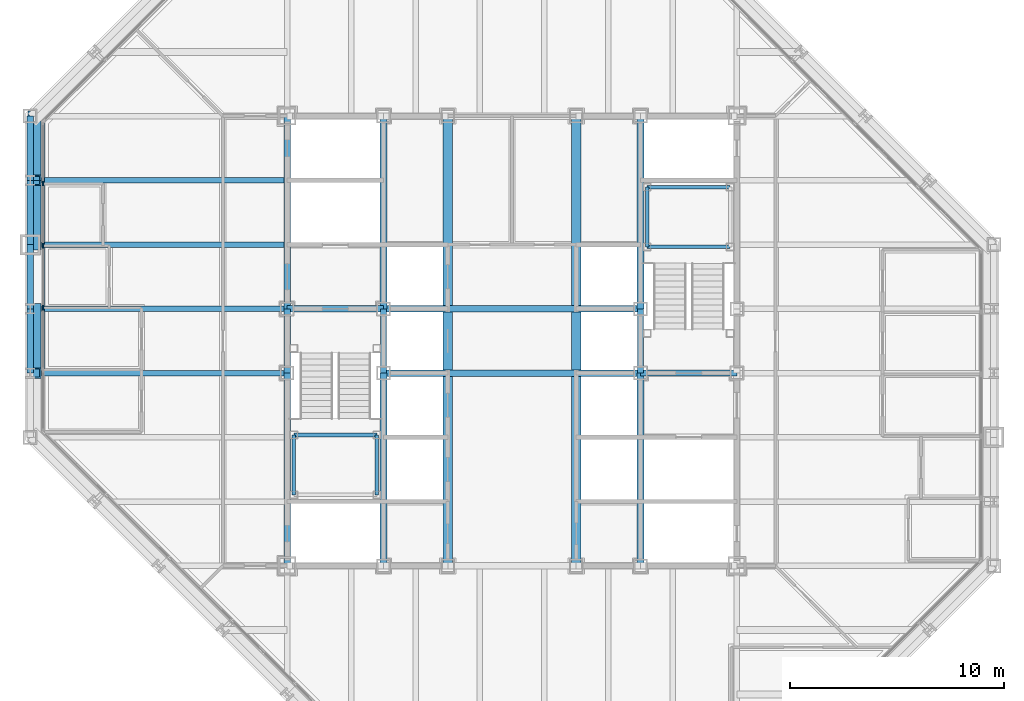
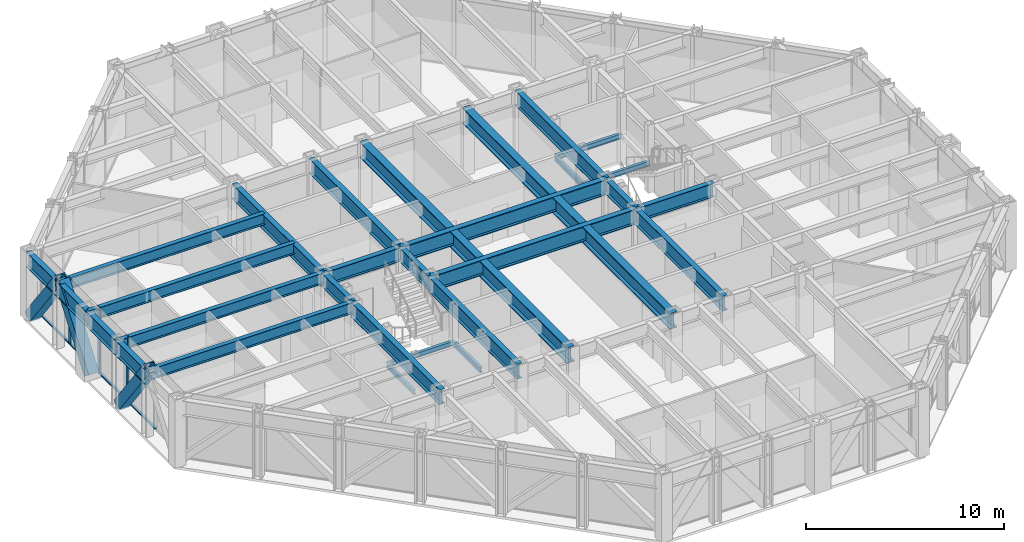
# One storey, part 5 of 15: 33 beams, 10 members, 1 element without a shape of its own.
"""IFC4 building model written with IfcOpenShell, lengths in metres."""

from ifc_helpers import new_model, si_unit, direction, frame, origin, origin_2d, place, context, subcontext, project, spatial, rectangle, hollow_rectangle, i_section, extrude, material, layer, layer_set, material_profile, profile_set, type_object, element, aggregate, save


model = new_model("IFC4")

# Units and contexts
model_context = context("Model", 3, precision=1e-05, world=origin(), true_north=direction((0.0, 1.0)))
body_context = subcontext(model_context, "Body", "Model", "MODEL_VIEW")
ifc_project = project(units=[si_unit("LENGTHUNIT", "METRE"), si_unit("AREAUNIT", "SQUARE_METRE"), si_unit("VOLUMEUNIT", "CUBIC_METRE"), si_unit("PLANEANGLEUNIT", "RADIAN"), si_unit("MASSUNIT", "GRAM", prefix="KILO")], contexts=[model_context])

# Site, building, storey
site_placement = place(None, origin())
site = spatial("IfcSite", under=ifc_project, at=site_placement, CompositionType="ELEMENT")
building_placement = place(site_placement, origin())
building = spatial("IfcBuilding", under=site, at=building_placement, Name="Chuquiago Exchange Tower", CompositionType="ELEMENT")
storey_placement = place(building_placement, frame((0.0, 0.0, 192.89990234375)))
storey = spatial("IfcBuildingStorey", under=building, at=storey_placement, Name="L42", CompositionType="ELEMENT", Elevation=192.89990234375)

# Beams
ifc_material_1 = material(Name="Steel ASTM A992", Category="steel")
ifc_material_profile_1 = material_profile(ifc_material_1, i_section(OverallWidth=0.25390625, OverallDepth=0.683349609375, WebThickness=0.012451171875, FlangeThickness=0.018798828125, at=origin_2d()), Name="W27X94")
ifc_profile_set_1 = profile_set([ifc_material_profile_1], Name="Steel ASTM A992")
beam_type_1 = type_object("IfcBeamType", Name="B1 W27X94", PredefinedType="BEAM", material=ifc_profile_set_1)
for number, where, z_axis, x_axis, name in (
    (1, (12.0, 21.0, 3.698486328125), (-1.0, 0.0, 0.0), (0.0, -1.0, 0.0), "FB-L43-infill-12_21--0_21-0"),
    (2, (12.0, 24.0, 3.698486328125), (-1.0, 0.0, 0.0), (0.0, -1.0, 0.0), "FB-L43-infill-12_24--0_24-0"),
    (3, (12.0, 27.0, 3.698486328125), (-1.0, 0.0, 0.0), (0.0, -1.0, 0.0), "FB-L43-infill-12_27--0_27-0"),
    (4, (12.0, 30.0, 3.698486328125), (-1.0, 0.0, 0.0), (0.0, -1.0, 0.0), "FB-L43-infill-12_30--0_30-0"),
):
    element("IfcBeam", number, at=place(storey_placement, frame(where, z_axis=z_axis, x_axis=x_axis)), inside=storey, type_object=beam_type_1, Name=name, PredefinedType="BEAM", context=body_context, shape_type="SweptSolid", body=[
        extrude(i_section(OverallWidth=0.25390625, OverallDepth=0.683349609375, WebThickness=0.012451171875, FlangeThickness=0.018798828125, at=origin_2d()), origin(), (0.0, 0.0, 1.0), 12.0),
    ])
ifc_material_2 = material(Name="Steel ASTM A992", Category="steel")
ifc_material_profile_2 = material_profile(ifc_material_2, i_section(OverallWidth=0.307373046875, OverallDepth=0.927001953125, WebThickness=0.01953125, FlangeThickness=0.031982421875, at=origin_2d()), Name="W36X194")
ifc_profile_set_2 = profile_set([ifc_material_profile_2], Name="Steel ASTM A992")
beam_type_2 = type_object("IfcBeamType", Name="B10 W36X194", PredefinedType="BEAM", material=ifc_profile_set_2)
for number, where, z_axis, x_axis, name in (
    (5, (12.0, 12.0, 3.576416015625), (0.0, 1.0, 0.0), (-1.0, 0.0, 0.0), "CB-L43-12_12-12_21"),
    (6, (12.0, 24.0, 3.576416015625), (0.0, 1.0, 0.0), (-1.0, 0.0, 0.0), "CB-L43-12_24-12_33"),
    (7, (16.5, 12.0, 3.576416015625), (0.0, 1.0, 0.0), (-1.0, 0.0, 0.0), "CB-L43-16.5_12-16.5_21"),
    (8, (16.5, 24.0, 3.576416015625), (0.0, 1.0, 0.0), (-1.0, 0.0, 0.0), "CB-L43-16.5_24-16.5_33"),
    (9, (28.5, 12.0, 3.576416015625), (0.0, 1.0, 0.0), (-1.0, 0.0, 0.0), "CB-L43-28.5_12-28.5_21"),
    (10, (28.5, 24.0, 3.576416015625), (0.0, 1.0, 0.0), (-1.0, 0.0, 0.0), "CB-L43-28.5_24-28.5_33"),
):
    element("IfcBeam", number, at=place(storey_placement, frame(where, z_axis=z_axis, x_axis=x_axis)), inside=storey, type_object=beam_type_2, Name=name, PredefinedType="BEAM", context=body_context, shape_type="SweptSolid", body=[
        extrude(i_section(OverallWidth=0.307373046875, OverallDepth=0.927001953125, WebThickness=0.01953125, FlangeThickness=0.031982421875, at=origin_2d()), origin(), (0.0, 0.0, 1.0), 9.0),
    ])
ifc_material_3 = material(Name="Steel ASTM A992", Category="steel")
ifc_material_profile_3 = material_profile(ifc_material_3, i_section(OverallWidth=0.309814453125, OverallDepth=0.949951171875, WebThickness=0.0244140625, FlangeThickness=0.0439453125, at=origin_2d()), Name="W36X256")
ifc_profile_set_3 = profile_set([ifc_material_profile_3], Name="Steel ASTM A992")
beam_type_3 = type_object("IfcBeamType", Name="B11 W36X256", PredefinedType="BEAM", material=ifc_profile_set_3)
for number, where, z_axis, x_axis, name in (
    (11, (16.5, 21.0, 3.565185546875), (1.0, 0.0, 0.0), (0.0, 1.0, 0.0), "CB-L43-16.5_21-28.5_21"),
    (12, (16.5, 24.0, 3.565185546875), (1.0, 0.0, 0.0), (0.0, 1.0, 0.0), "CB-L43-16.5_24-28.5_24"),
):
    element("IfcBeam", number, at=place(storey_placement, frame(where, z_axis=z_axis, x_axis=x_axis)), inside=storey, type_object=beam_type_3, Name=name, PredefinedType="BEAM", context=body_context, shape_type="SweptSolid", body=[
        extrude(i_section(OverallWidth=0.309814453125, OverallDepth=0.949951171875, WebThickness=0.0244140625, FlangeThickness=0.0439453125, at=origin_2d()), origin(), (0.0, 0.0, 1.0), 12.0),
    ])
ifc_material_4 = material(Name="Steel ASTM A992", Category="steel")
ifc_material_profile_4 = material_profile(ifc_material_4, i_section(OverallWidth=0.4267578125, OverallDepth=0.975341796875, WebThickness=0.031005859375, FlangeThickness=0.055908203125, at=origin_2d()), Name="W36X395")
ifc_profile_set_4 = profile_set([ifc_material_profile_4], Name="Steel ASTM A992")
beam_type_4 = type_object("IfcBeamType", Name="B12 W36X395", PredefinedType="BEAM", material=ifc_profile_set_4)
beam_1_placement = place(storey_placement, frame((19.5, 12.0, 3.552490234375), z_axis=(0.0, 1.0, 0.0), x_axis=(-1.0, 0.0, 0.0)))
element("IfcBeam", 13, at=beam_1_placement, inside=storey, type_object=beam_type_4, Name="CB-L43-19.5_12-19.5_20.8451", PredefinedType="BEAM", context=body_context, shape_type="SweptSolid", body=[
    extrude(i_section(OverallWidth=0.4267578125, OverallDepth=0.975341796875, WebThickness=0.031005859375, FlangeThickness=0.055908203125, at=origin_2d()), origin(), (0.0, 0.0, 1.0), 8.84521484375),
])
beam_2_placement = place(storey_placement, frame((19.5, 21.15478515625, 3.552490234375), z_axis=(0.0, 1.0, 0.0), x_axis=(-1.0, 0.0, 0.0)))
element("IfcBeam", 14, at=beam_2_placement, inside=storey, type_object=beam_type_4, Name="CB-L43-19.5_21.1549-19.5_23.8451", PredefinedType="BEAM", context=body_context, shape_type="SweptSolid", body=[
    extrude(i_section(OverallWidth=0.4267578125, OverallDepth=0.975341796875, WebThickness=0.031005859375, FlangeThickness=0.055908203125, at=origin_2d()), origin(), (0.0, 0.0, 1.0), 2.6904296875),
])
for number, where, z_axis, x_axis, name in (
    (15, (19.5, 24.15478515625, 3.552490234375), (0.0, 1.0, 0.0), (-1.0, 0.0, 0.0), "CB-L43-19.5_24.1549-19.5_33"),
    (16, (25.5, 12.0, 3.552490234375), (0.0, 1.0, 0.0), (-1.0, 0.0, 0.0), "CB-L43-25.5_12-25.5_20.8451"),
):
    element("IfcBeam", number, at=place(storey_placement, frame(where, z_axis=z_axis, x_axis=x_axis)), inside=storey, type_object=beam_type_4, Name=name, PredefinedType="BEAM", context=body_context, shape_type="SweptSolid", body=[
        extrude(i_section(OverallWidth=0.4267578125, OverallDepth=0.975341796875, WebThickness=0.031005859375, FlangeThickness=0.055908203125, at=origin_2d()), origin(), (0.0, 0.0, 1.0), 8.84521484375),
    ])
beam_3_placement = place(storey_placement, frame((25.5, 21.15478515625, 3.552490234375), z_axis=(0.0, 1.0, 0.0), x_axis=(-1.0, 0.0, 0.0)))
element("IfcBeam", 17, at=beam_3_placement, inside=storey, type_object=beam_type_4, Name="CB-L43-25.5_21.1549-25.5_23.8451", PredefinedType="BEAM", context=body_context, shape_type="SweptSolid", body=[
    extrude(i_section(OverallWidth=0.4267578125, OverallDepth=0.975341796875, WebThickness=0.031005859375, FlangeThickness=0.055908203125, at=origin_2d()), origin(), (0.0, 0.0, 1.0), 2.6904296875),
])
beam_4_placement = place(storey_placement, frame((25.5, 24.15478515625, 3.552490234375), z_axis=(0.0, 1.0, 0.0), x_axis=(-1.0, 0.0, 0.0)))
element("IfcBeam", 18, at=beam_4_placement, inside=storey, type_object=beam_type_4, Name="CB-L43-25.5_24.1549-25.5_33", PredefinedType="BEAM", context=body_context, shape_type="SweptSolid", body=[
    extrude(i_section(OverallWidth=0.4267578125, OverallDepth=0.975341796875, WebThickness=0.031005859375, FlangeThickness=0.055908203125, at=origin_2d()), origin(), (0.0, 0.0, 1.0), 8.84521484375),
])
ifc_material_5 = material(Name="Steel ASTM A992", Category="steel")
ifc_material_profile_5 = material_profile(ifc_material_5, i_section(OverallWidth=0.2919921875, OverallDepth=0.8583984375, WebThickness=0.01708984375, FlangeThickness=0.031005859375, at=origin_2d()), Name="W33X169")
ifc_profile_set_5 = profile_set([ifc_material_profile_5], Name="Steel ASTM A992")
beam_type_5 = type_object("IfcBeamType", Name="B3 W33X169", PredefinedType="BEAM", material=ifc_profile_set_5)
for number, where, z_axis, x_axis, name in (
    (19, (12.0, 21.0, 3.61083984375), (0.0, 1.0, 0.0), (-1.0, 0.0, 0.0), "CB-L43-12_21-12_24"),
    (20, (16.5, 21.0, 3.61083984375), (0.0, 1.0, 0.0), (-1.0, 0.0, 0.0), "CB-L43-16.5_21-16.5_24"),
    (21, (28.5, 21.0, 3.61083984375), (0.0, 1.0, 0.0), (-1.0, 0.0, 0.0), "CB-L43-28.5_21-28.5_24"),
):
    element("IfcBeam", number, at=place(storey_placement, frame(where, z_axis=z_axis, x_axis=x_axis)), inside=storey, type_object=beam_type_5, Name=name, PredefinedType="BEAM", context=body_context, shape_type="SweptSolid", body=[
        extrude(i_section(OverallWidth=0.2919921875, OverallDepth=0.8583984375, WebThickness=0.01708984375, FlangeThickness=0.031005859375, at=origin_2d()), origin(), (0.0, 0.0, 1.0), 3.0),
    ])
for number, where, z_axis, x_axis, name in (
    (22, (28.5, 21.0, 3.61083984375), (1.0, 0.0, 0.0), (0.0, 1.0, 0.0), "CB-L43-28.5_21-33_21"),
    (23, (12.0, 24.0, 3.61083984375), (1.0, 0.0, 0.0), (0.0, 1.0, 0.0), "CB-L43-12_24-16.5_24"),
):
    element("IfcBeam", number, at=place(storey_placement, frame(where, z_axis=z_axis, x_axis=x_axis)), inside=storey, type_object=beam_type_5, Name=name, PredefinedType="BEAM", context=body_context, shape_type="SweptSolid", body=[
        extrude(i_section(OverallWidth=0.2919921875, OverallDepth=0.8583984375, WebThickness=0.01708984375, FlangeThickness=0.031005859375, at=origin_2d()), origin(), (0.0, 0.0, 1.0), 4.5),
    ])

# Curtain wall, members
ifc_material_6 = material(Name="Aluminium curtain wall system", Category="aluminium")
ifc_layer = layer(ifc_material_6, 0.22509765625)
ifc_layer_set = layer_set([ifc_layer], Name="CW2 office curtain wall")
curtain_wall_type = type_object("IfcCurtainWallType", Name="CW2 office curtain wall", PredefinedType="NOTDEFINED", material=ifc_layer_set)
curtain_wall_placement = place(storey_placement, origin())
curtain_wall = element("IfcCurtainWall", 24, at=curtain_wall_placement, inside=storey, type_object=curtain_wall_type, Name="CW2 curtain wall L42", PredefinedType="NOTDEFINED")
ifc_material_7 = material(Name="Aluminium mullion, pale anodised", Category="aluminium")
ifc_material_profile_6 = material_profile(ifc_material_7, rectangle(XDim=0.06494140625, YDim=0.22509765625, at=origin_2d()), Name="AL 65x225")
ifc_profile_set_6 = profile_set([ifc_material_profile_6], Name="Aluminium mullion, pale anodised")
member_type_1 = type_object("IfcMemberType", Name="CW2-M mullion 65x225", PredefinedType="MULLION", material=ifc_profile_set_6)
member_1_placement = place(storey_placement, frame((0.60009765625, 29.850830078125, 0.0), z_axis=(0.0, 0.0, 1.0), x_axis=(1.0, 0.0, 0.0)))
member_1 = element("IfcMember", 25, at=member_1_placement, type_object=member_type_1, Name="CW2 mullion 2", PredefinedType="MULLION", context=body_context, shape_type="SweptSolid", body=[
    extrude(rectangle(XDim=0.06494140625, YDim=0.22509765625, at=origin_2d()), origin(), (0.0, 0.0, 1.0), 4.0400390625),
])
member_2_placement = place(storey_placement, frame((0.60009765625, 26.9501953125, 0.0), z_axis=(0.0, 0.0, 1.0), x_axis=(1.0, 0.0, 0.0)))
member_2 = element("IfcMember", 26, at=member_2_placement, type_object=member_type_1, Name="CW2 mullion 3", PredefinedType="MULLION", context=body_context, shape_type="SweptSolid", body=[
    extrude(rectangle(XDim=0.06494140625, YDim=0.22509765625, at=origin_2d()), origin(), (0.0, 0.0, 1.0), 4.0400390625),
])
member_3_placement = place(storey_placement, frame((0.60009765625, 24.0498046875, 0.0), z_axis=(0.0, 0.0, 1.0), x_axis=(1.0, 0.0, 0.0)))
member_3 = element("IfcMember", 27, at=member_3_placement, type_object=member_type_1, Name="CW2 mullion 4", PredefinedType="MULLION", context=body_context, shape_type="SweptSolid", body=[
    extrude(rectangle(XDim=0.06494140625, YDim=0.22509765625, at=origin_2d()), origin(), (0.0, 0.0, 1.0), 4.0400390625),
])
ifc_material_8 = material(Name="Aluminium transom, pale anodised", Category="aluminium")
ifc_material_profile_7 = material_profile(ifc_material_8, rectangle(XDim=0.139892578125, YDim=0.06494140625, at=origin_2d()), Name="AL 140x65")
ifc_profile_set_7 = profile_set([ifc_material_profile_7], Name="Aluminium transom, pale anodised")
member_type_2 = type_object("IfcMemberType", Name="CW2-T transom 65x140", PredefinedType="MULLION", material=ifc_profile_set_7)
member_4_placement = place(storey_placement, frame((0.60009765625, 32.6865234375, 0.03271484375), z_axis=(0.0, -1.0, 0.0), x_axis=(1.0, 0.0, 0.0)))
member_4 = element("IfcMember", 28, at=member_4_placement, type_object=member_type_2, Name="CW2 transom 1.1", PredefinedType="MULLION", context=body_context, shape_type="SweptSolid", body=[
    extrude(rectangle(XDim=0.139892578125, YDim=0.06494140625, at=origin_2d()), origin(), (0.0, 0.0, 1.0), 2.80322265625),
])
member_5_placement = place(storey_placement, frame((0.60009765625, 29.818359375, 0.03271484375), z_axis=(0.0, -1.0, 0.0), x_axis=(1.0, 0.0, 0.0)))
member_5 = element("IfcMember", 29, at=member_5_placement, type_object=member_type_2, Name="CW2 transom 2.1", PredefinedType="MULLION", context=body_context, shape_type="SweptSolid", body=[
    extrude(rectangle(XDim=0.139892578125, YDim=0.06494140625, at=origin_2d()), origin(), (0.0, 0.0, 1.0), 2.83544921875),
])
member_6_placement = place(storey_placement, frame((0.60009765625, 26.917724609375, 0.03271484375), z_axis=(0.0, -1.0, 0.0), x_axis=(1.0, 0.0, 0.0)))
member_6 = element("IfcMember", 30, at=member_6_placement, type_object=member_type_2, Name="CW2 transom 3.1", PredefinedType="MULLION", context=body_context, shape_type="SweptSolid", body=[
    extrude(rectangle(XDim=0.139892578125, YDim=0.06494140625, at=origin_2d()), origin(), (0.0, 0.0, 1.0), 2.83544921875),
])
member_7_placement = place(storey_placement, frame((0.60009765625, 24.01708984375, 0.03271484375), z_axis=(0.0, -1.0, 0.0), x_axis=(1.0, 0.0, 0.0)))
member_7 = element("IfcMember", 31, at=member_7_placement, type_object=member_type_2, Name="CW2 transom 4.1", PredefinedType="MULLION", context=body_context, shape_type="SweptSolid", body=[
    extrude(rectangle(XDim=0.139892578125, YDim=0.06494140625, at=origin_2d()), origin(), (0.0, 0.0, 1.0), 2.83544921875),
])
aggregate(curtain_wall, [member_1, member_2, member_3, member_4, member_5, member_6, member_7])

# Beams
ifc_material_9 = material(Name="Steel ASTM A992", Category="steel")
ifc_material_profile_8 = material_profile(ifc_material_9, i_section(OverallWidth=0.164794921875, OverallDepth=0.309814453125, WebThickness=0.005859375, FlangeThickness=0.009765625, at=origin_2d()), Name="W12X26")
ifc_profile_set_8 = profile_set([ifc_material_profile_8], Name="Steel ASTM A992")
beam_type_6 = type_object("IfcBeamType", Name="LS1 W12X26", PredefinedType="BEAM", material=ifc_profile_set_8)
for number, where, z_axis, x_axis, name in (
    (32, (12.31005859375, 15.31005859375, 1.7451171875), (0.0, 1.0, 0.0), (-1.0, 0.0, 0.0), "Stair ST1 L42 landing 1 stringer"),
    (33, (16.18994140625, 15.31005859375, 1.7451171875), (0.0, 1.0, 0.0), (-1.0, 0.0, 0.0), "Stair ST1 L42 landing 1 stringer"),
    (34, (28.81005859375, 26.889892578125, 1.7451171875), (0.0, 1.0, 0.0), (-1.0, 0.0, 0.0), "Stair ST2 L42 landing 1 stringer"),
):
    element("IfcBeam", number, at=place(storey_placement, frame(where, z_axis=z_axis, x_axis=x_axis)), inside=storey, type_object=beam_type_6, Name=name, PredefinedType="BEAM", context=body_context, shape_type="SweptSolid", body=[
        extrude(i_section(OverallWidth=0.164794921875, OverallDepth=0.309814453125, WebThickness=0.005859375, FlangeThickness=0.009765625, at=origin_2d()), origin(), (0.0, 0.0, 1.0), 2.800048828125),
    ])
ifc_material_10 = material(Name="Steel ASTM A992", Category="steel")
ifc_material_profile_9 = material_profile(ifc_material_10, i_section(OverallWidth=0.164794921875, OverallDepth=0.309814453125, WebThickness=0.005859375, FlangeThickness=0.009765625, at=origin_2d()), Name="W12X26")
ifc_profile_set_9 = profile_set([ifc_material_profile_9], Name="Steel ASTM A992")
beam_type_7 = type_object("IfcBeamType", Name="LT1 W12X26", PredefinedType="BEAM", material=ifc_profile_set_9)
for number, where, z_axis, x_axis, name in (
    (35, (12.31005859375, 18.110107421875, 1.7451171875), (1.0, 0.0, 0.0), (0.0, 1.0, 0.0), "Stair ST1 L42 landing 1 trimmer"),
    (36, (28.81005859375, 29.68994140625, 1.7451171875), (1.0, 0.0, 0.0), (0.0, 1.0, 0.0), "Stair ST2 L42 landing 1 trimmer"),
    (37, (28.81005859375, 26.889892578125, 1.7451171875), (1.0, 0.0, 0.0), (0.0, 1.0, 0.0), "Stair ST2 L42 landing 1 trimmer"),
):
    element("IfcBeam", number, at=place(storey_placement, frame(where, z_axis=z_axis, x_axis=x_axis)), inside=storey, type_object=beam_type_7, Name=name, PredefinedType="BEAM", context=body_context, shape_type="SweptSolid", body=[
        extrude(i_section(OverallWidth=0.164794921875, OverallDepth=0.309814453125, WebThickness=0.005859375, FlangeThickness=0.009765625, at=origin_2d()), origin(), (0.0, 0.0, 1.0), 3.8798828125),
    ])

# Members
ifc_material_11 = material(Name="Steel ASTM A572 Grade 50", Category="steel")
ifc_material_profile_10 = material_profile(ifc_material_11, hollow_rectangle(XDim=0.60009765625, YDim=0.60009765625, WallThickness=0.06005859375, at=origin_2d()), Name="BOX600X600X60")
ifc_profile_set_10 = profile_set([ifc_material_profile_10], Name="Steel ASTM A572 Grade 50")
member_type_3 = type_object("IfcMemberType", Name="MB3 BOX600X600X60", PredefinedType="BRACE", material=ifc_profile_set_10)
for number, where, z_axis, x_axis, name in (
    (38, (0.205078125, 33.0, 0.0), (0.0, -0.596173923302, 0.802855312728), (1.0, 0.0, 0.0), "Mega diagonal L42 W face"),
    (39, (0.205078125, 27.0, 0.0), (0.0, 0.596173923302, 0.802855312728), (-1.0, 0.0, 0.0), "Mega diagonal L42 W face"),
    (40, (0.205078125, 24.0, 0.0), (0.0, -0.596173923302, 0.802855312728), (1.0, 0.0, 0.0), "Mega diagonal L42 W face"),
):
    element("IfcMember", number, at=place(storey_placement, frame(where, z_axis=z_axis, x_axis=x_axis)), inside=storey, type_object=member_type_3, Name=name, PredefinedType="BRACE", context=body_context, shape_type="SweptSolid", body=[
        extrude(hollow_rectangle(XDim=0.60009765625, YDim=0.60009765625, WallThickness=0.06005859375, at=origin_2d()), origin(), (0.0, 0.0, 1.0), 5.031982421875),
    ])

# Beams
ifc_material_12 = material(Name="Steel ASTM A992", Category="steel")
ifc_material_profile_11 = material_profile(ifc_material_12, i_section(OverallWidth=0.307373046875, OverallDepth=0.927001953125, WebThickness=0.01953125, FlangeThickness=0.031982421875, at=origin_2d()), Name="W36X194")
ifc_profile_set_11 = profile_set([ifc_material_profile_11], Name="Steel ASTM A992")
beam_type_8 = type_object("IfcBeamType", Name="SP3 W36X194", PredefinedType="SPANDREL", material=ifc_profile_set_11)
for number, where, z_axis, x_axis, name in (
    (41, (0.0, 33.0, 3.576416015625), (0.0, -1.0, 0.0), (1.0, 0.0, 0.0), "SPB-L43-0_33-0_30"),
    (42, (0.0, 30.0, 3.576416015625), (0.0, -1.0, 0.0), (1.0, 0.0, 0.0), "SPB-L43-0_30-0_27"),
    (43, (0.0, 27.0, 3.576416015625), (0.0, -1.0, 0.0), (1.0, 0.0, 0.0), "SPB-L43-0_27-0_24"),
    (44, (0.0, 24.0, 3.576416015625), (0.0, -1.0, 0.0), (1.0, 0.0, 0.0), "SPB-L43-0_24-0_21"),
):
    element("IfcBeam", number, at=place(storey_placement, frame(where, z_axis=z_axis, x_axis=x_axis)), inside=storey, type_object=beam_type_8, Name=name, PredefinedType="SPANDREL", context=body_context, shape_type="SweptSolid", body=[
        extrude(i_section(OverallWidth=0.307373046875, OverallDepth=0.927001953125, WebThickness=0.01953125, FlangeThickness=0.031982421875, at=origin_2d()), origin(), (0.0, 0.0, 1.0), 3.0),
    ])

save(model, "model.ifc")
